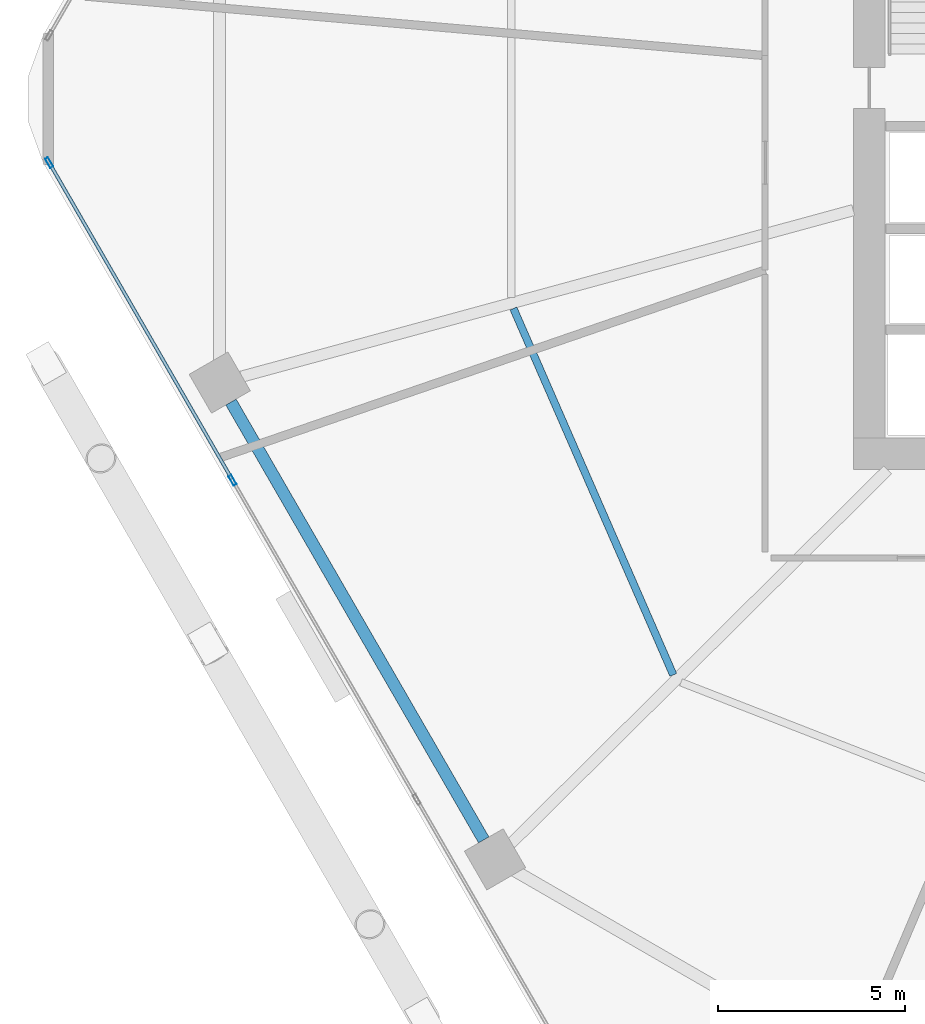
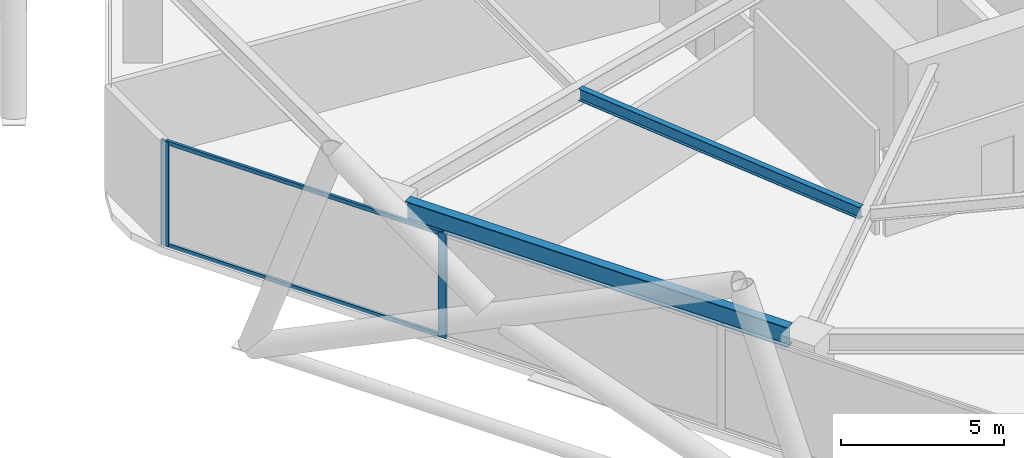
# One storey, part 5 of 30: 4 members, 2 beams, 1 element without a shape of its own.
"""IFC4 building model written with IfcOpenShell, lengths in metres."""

from ifc_helpers import new_model, si_unit, direction, frame, origin, origin_2d, place, context, subcontext, project, spatial, hollow_rectangle, i_section, extrude, material, material_profile, profile_set, type_object, element, aggregate, save


model = new_model("IFC4")

# Units and contexts
model_context = context("Model", 3, precision=1e-05, world=origin(), true_north=direction((0.0, 1.0)))
body_context = subcontext(model_context, "Body", "Model", "MODEL_VIEW")
ifc_project = project(units=[si_unit("LENGTHUNIT", "METRE"), si_unit("AREAUNIT", "SQUARE_METRE"), si_unit("VOLUMEUNIT", "CUBIC_METRE"), si_unit("PLANEANGLEUNIT", "RADIAN"), si_unit("MASSUNIT", "GRAM", prefix="KILO")], contexts=[model_context])

# Site, building, storey
site_placement = place(None, origin())
site = spatial("IfcSite", under=ifc_project, at=site_placement, CompositionType="ELEMENT")
building_placement = place(site_placement, origin())
building = spatial("IfcBuilding", under=site, at=building_placement, Name="Zuhravey Tower", CompositionType="ELEMENT")
storey_placement = place(building_placement, frame((0.0, 0.0, 58.199951171875)))
storey = spatial("IfcBuildingStorey", under=building, at=storey_placement, Name="L14", CompositionType="ELEMENT", Elevation=58.199951171875)

# Curtain wall, members
ifc_material_1 = material(Name="Thermally broken anodised aluminium", Category="aluminium")
curtain_wall_type = type_object("IfcCurtainWallType", Name="School Low-E Unitised Curtain Wall CW1", PredefinedType="NOTDEFINED", material=ifc_material_1)
curtain_wall_placement = place(storey_placement, origin())
curtain_wall = element("IfcCurtainWall", 1, at=curtain_wall_placement, inside=storey, type_object=curtain_wall_type, Name="L14 CW1 CW-L14-F4-1", PredefinedType="NOTDEFINED")
ifc_material_2 = material(Name="Anodised aluminium", Category="aluminium")
ifc_material_profile_1 = material_profile(ifc_material_2, hollow_rectangle(XDim=0.090087890625, YDim=0.284912109375, WallThickness=0.0048828125, at=origin_2d()), Name="ALU-RHS-90x285x5")
ifc_profile_set_1 = profile_set([ifc_material_profile_1], Name="Anodised aluminium")
member_type_1 = type_object("IfcMemberType", Name="Curtain-Wall Mullion 90x180", PredefinedType="MULLION", material=ifc_profile_set_1)
member_1_placement = place(storey_placement, frame((8.45458984375, 21.79296875, 0.0), z_axis=(0.0, 0.0, 1.0), x_axis=(-0.86602552265, -0.499999794119, 0.0)))
member_1 = element("IfcMember", 2, at=member_1_placement, type_object=member_type_1, Name="CW1 mullion 3", PredefinedType="MULLION", context=body_context, shape_type="SweptSolid", body=[
    extrude(hollow_rectangle(XDim=0.090087890625, YDim=0.284912109375, WallThickness=0.0048828125, at=origin_2d()), origin(), (0.0, 0.0, 1.0), 3.920166015625),
])
member_2_placement = place(storey_placement, frame((3.5439453125, 30.298583984375, 0.0), z_axis=(0.0, 0.0, 1.0), x_axis=(-0.86602552265, -0.499999794119, 0.0)))
member_2 = element("IfcMember", 3, at=member_2_placement, type_object=member_type_1, Name="CW1 mullion 4", PredefinedType="MULLION", context=body_context, shape_type="SweptSolid", body=[
    extrude(hollow_rectangle(XDim=0.090087890625, YDim=0.284912109375, WallThickness=0.0048828125, at=origin_2d()), origin(), (0.0, 0.0, 1.0), 3.920166015625),
])
ifc_material_profile_2 = material_profile(ifc_material_2, hollow_rectangle(XDim=0.090087890625, YDim=0.14990234375, WallThickness=0.0048828125, at=origin_2d()), Name="ALU-RHS-90x150x5")
ifc_profile_set_2 = profile_set([ifc_material_profile_2], Name="Anodised aluminium")
member_type_2 = type_object("IfcMemberType", Name="Curtain-Wall Transom 90x150", PredefinedType="USERDEFINED", material=ifc_profile_set_2)
member_3_placement = place(storey_placement, frame((8.43212890625, 21.83203125, 0.045166015625), z_axis=(-0.500008393077, 0.866020557985, 0.0), x_axis=(-0.866020557985, -0.500008393077, 0.0)))
member_3 = element("IfcMember", 4, at=member_3_placement, type_object=member_type_2, Name="CW1 transom 3.1", ObjectType="TRANSOM", PredefinedType="USERDEFINED", context=body_context, shape_type="SweptSolid", body=[
    extrude(hollow_rectangle(XDim=0.090087890625, YDim=0.14990234375, WallThickness=0.0048828125, at=origin_2d()), origin(), (0.0, 0.0, 1.0), 9.731201171875),
])
member_4_placement = place(storey_placement, frame((8.43212890625, 21.83203125, 3.875), z_axis=(-0.500008393077, 0.866020557985, 0.0), x_axis=(-0.866020557985, -0.500008393077, 0.0)))
member_4 = element("IfcMember", 5, at=member_4_placement, type_object=member_type_2, Name="CW1 transom 3.2", ObjectType="TRANSOM", PredefinedType="USERDEFINED", context=body_context, shape_type="SweptSolid", body=[
    extrude(hollow_rectangle(XDim=0.090087890625, YDim=0.14990234375, WallThickness=0.0048828125, at=origin_2d()), origin(), (0.0, 0.0, 1.0), 9.731201171875),
])
aggregate(curtain_wall, [member_1, member_2, member_3, member_4])

# Beams
ifc_material_3 = material(Name="Steel SM355", Category="steel")
ifc_material_profile_3 = material_profile(ifc_material_3, i_section(OverallWidth=0.320068359375, OverallDepth=0.75, WebThickness=0.013916015625, FlangeThickness=0.02490234375, at=origin_2d()), Name="H-750x320x14x25")
ifc_profile_set_3 = profile_set([ifc_material_profile_3], Name="Steel SM355")
beam_type_1 = type_object("IfcBeamType", Name="Perimeter Ring Beam H750x320", PredefinedType="BEAM", material=ifc_profile_set_3)
beam_1_placement = place(storey_placement, frame((8.412353515625, 23.88623046875, 3.545166015625), z_axis=(0.499999877243, -0.866025474658, 0.0), x_axis=(0.866025474658, 0.499999877243, 0.0)))
element("IfcBeam", 6, at=beam_1_placement, inside=storey, type_object=beam_type_1, Name="L14 PB1 BM-L14-PB-07", PredefinedType="BEAM", context=body_context, shape_type="SweptSolid", body=[
    extrude(i_section(OverallWidth=0.320068359375, OverallDepth=0.75, WebThickness=0.013916015625, FlangeThickness=0.02490234375, at=origin_2d()), origin(), (0.0, 0.0, 1.0), 13.5341796875),
])
ifc_material_profile_4 = material_profile(ifc_material_3, i_section(OverallWidth=0.199951171875, OverallDepth=0.449951171875, WebThickness=0.009033203125, FlangeThickness=0.013916015625, at=origin_2d()), Name="H-450x200x9x14")
ifc_profile_set_4 = profile_set([ifc_material_profile_4], Name="Steel SM355")
beam_type_2 = type_object("IfcBeamType", Name="Secondary Floor Joist H450x200", PredefinedType="JOIST", material=ifc_profile_set_4)
beam_2_placement = place(storey_placement, frame((15.974609375, 26.39111328125, 3.695068359375), z_axis=(0.399923551578, -0.916548500022, 0.0), x_axis=(0.916548500022, 0.399923551578, 0.0)))
element("IfcBeam", 7, at=beam_2_placement, inside=storey, type_object=beam_type_2, Name="L14 SJ1 BM-L14-SJ-07-1", PredefinedType="JOIST", context=body_context, shape_type="SweptSolid", body=[
    extrude(i_section(OverallWidth=0.199951171875, OverallDepth=0.449951171875, WebThickness=0.009033203125, FlangeThickness=0.013916015625, at=origin_2d()), origin(), (0.0, 0.0, 1.0), 10.70263671875),
])

save(model, "model.ifc")
